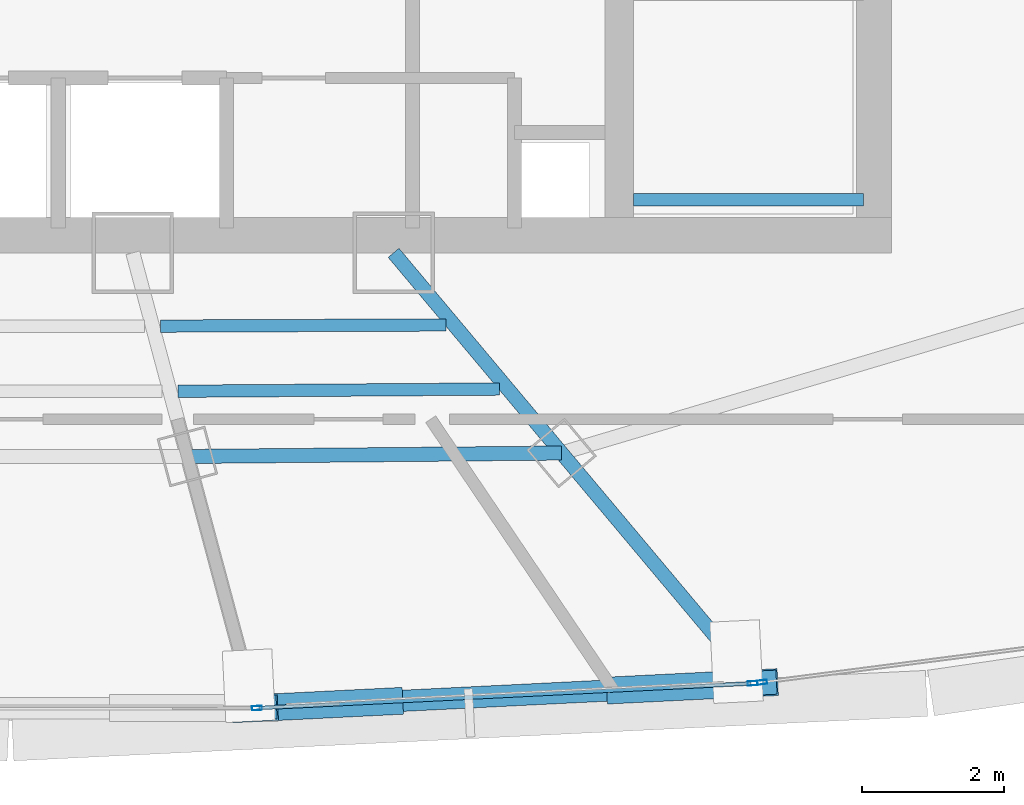
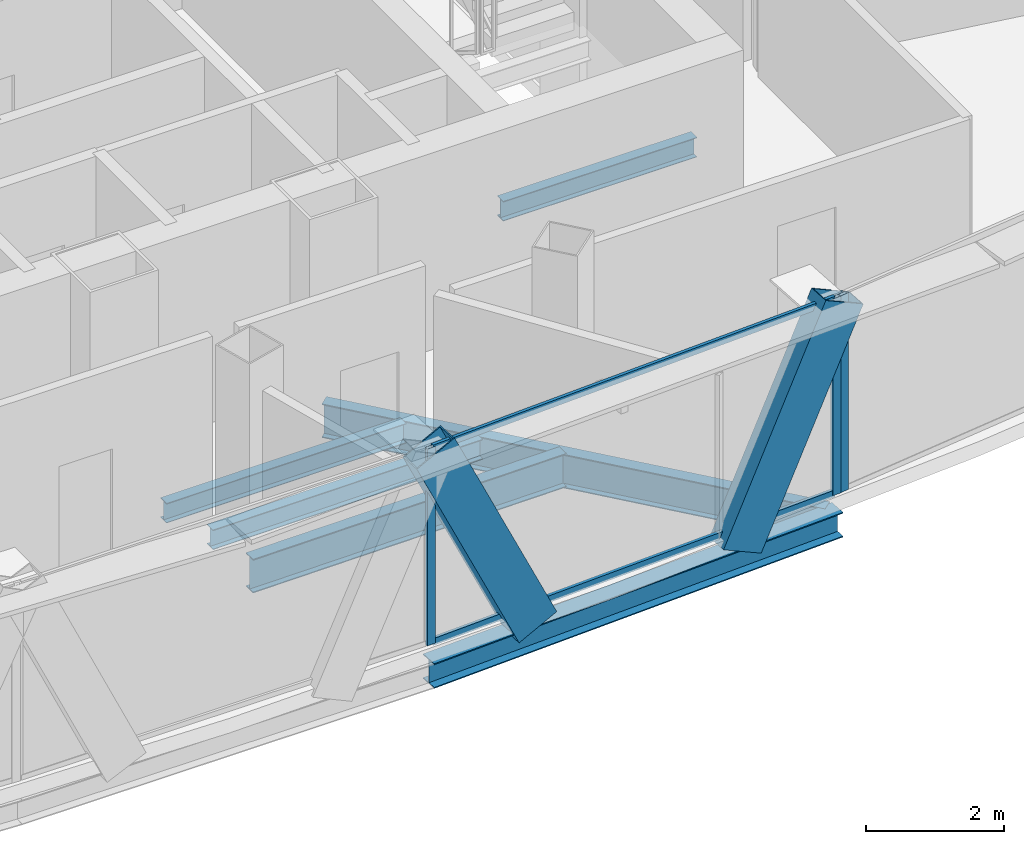
# One storey, part 12 of 34: 7 members, 6 beams, 2 elements without a shape of their own.
"""IFC4 building model written with IfcOpenShell, lengths in metres."""

import ifcopenshell
import ifcopenshell.guid

model = None  # the IFC model being written
_history = None  # IfcOwnerHistory: only IFC2X3 demands one
_inside = {}  # id of a spatial element -> (the spatial element, [elements in it])
_under = {}  # id of a project, library or spatial element -> (it, [spatial elements below it])
_declared = {}  # id of a project -> (the project, [libraries it declares])
_typed = {}  # id of a type object -> (the type object, [elements of that type])
_made_of = {}  # id of a material, layer set ... -> (it, [elements and type objects made of it])


def new_model(schema):
    """Start an empty IFC model of exactly this schema.

    Asked for "IFC4X3", IfcOpenShell would pick the latest addendum, in which some entities
    have other attributes; the version numbers below select the first issue.
    IFC2X3 requires an IfcOwnerHistory on every rooted entity: one is made here for all.
    """
    global model, _history
    if schema == "IFC4X3":
        model = ifcopenshell.file(schema_version=(4, 3, 0, 0))
    else:
        model = ifcopenshell.file(schema=schema)
    _inside.clear()
    _under.clear()
    _declared.clear()
    _typed.clear()
    _made_of.clear()
    _history = None
    if model.schema == "IFC2X3":
        org = make("IfcOrganization", Name="unknown")
        user = make(
            "IfcPersonAndOrganization",
            ThePerson=make("IfcPerson", FamilyName="unknown"),
            TheOrganization=org,
        )
        app = make(
            "IfcApplication",
            ApplicationDeveloper=org,
            Version="unknown",
            ApplicationFullName="unknown",
            ApplicationIdentifier="unknown",
        )
        _history = make(
            "IfcOwnerHistory",
            OwningUser=user,
            OwningApplication=app,
            ChangeAction="ADDED",
            CreationDate=0,
        )
    return model


def make(cls, **values):
    """One entity of the class cls with the attributes given. An attribute that is None is left unset."""
    return model.create_entity(
        cls, **{name: value for name, value in values.items() if value is not None}
    )


def rooted(cls, **values):
    """An entity with a GlobalId (a new one), such as an element, a storey or a relation."""
    return make(cls, GlobalId=ifcopenshell.guid.new(), OwnerHistory=_history, **values)


def si_unit(unit_type, name, prefix=None):
    """IfcSIUnit, for example si_unit("LENGTHUNIT", "METRE", prefix="MILLI")."""
    return make("IfcSIUnit", UnitType=unit_type, Prefix=prefix, Name=name)


def assignment(units):
    """IfcUnitAssignment: the units of a project."""
    return None if units is None else make("IfcUnitAssignment", Units=units)


def point(xyz):
    """IfcCartesianPoint."""
    return None if xyz is None else make("IfcCartesianPoint", Coordinates=xyz)


def direction(xyz):
    """IfcDirection."""
    return None if xyz is None else make("IfcDirection", DirectionRatios=xyz)


def frame(location, z_axis=None, x_axis=None):
    """IfcAxis2Placement3D, a coordinate frame: its origin and axes. An axis left out is left unset."""
    return make(
        "IfcAxis2Placement3D",
        Location=point(location),
        Axis=direction(z_axis),
        RefDirection=direction(x_axis),
    )


def frame_2d(location, x_axis=None):
    """IfcAxis2Placement2D, a coordinate frame in the plane: its origin and x axis."""
    return make(
        "IfcAxis2Placement2D", Location=point(location), RefDirection=direction(x_axis)
    )


def origin():
    """The frame at (0, 0, 0) with its axes left unset."""
    return frame((0.0, 0.0, 0.0))


def origin_2d():
    """The frame at (0, 0) in the plane with its x axis left unset."""
    return frame_2d((0.0, 0.0))


def place(relative_to, where):
    """IfcLocalPlacement: puts the frame where relative to a parent placement (None: the world)."""
    return make(
        "IfcLocalPlacement", PlacementRelTo=relative_to, RelativePlacement=where
    )


def context(
    kind, dimensions, precision=None, world=None, true_north=None, identifier=None
):
    """IfcGeometricRepresentationContext, for example the 3D "Model" context."""
    return make(
        "IfcGeometricRepresentationContext",
        ContextIdentifier=identifier,
        ContextType=kind,
        CoordinateSpaceDimension=dimensions,
        Precision=precision,
        WorldCoordinateSystem=world,
        TrueNorth=true_north,
    )


def subcontext(parent, identifier, kind, view, scale=None):
    """IfcGeometricRepresentationSubContext, for example "Body" below "Model"."""
    return make(
        "IfcGeometricRepresentationSubContext",
        ContextIdentifier=identifier,
        ContextType=kind,
        ParentContext=parent,
        TargetScale=scale,
        TargetView=view,
    )


def project(units=None, contexts=None):
    """IfcProject with its units and contexts."""
    return rooted(
        "IfcProject",
        Name="project",
        RepresentationContexts=contexts,
        UnitsInContext=assignment(units),
    )


def spatial(cls, under=None, at=None, **own):
    """A site, building, storey or space (cls), placed at a placement, below another one or the project."""
    s = rooted(cls, ObjectPlacement=at, **own)
    if under is not None:
        _under.setdefault(under.id(), (under, []))[1].append(s)
    return s


def profile(cls, at=None, kind="AREA", **sizes):
    """A parametric profile (cls). Its sizes go by their IFC names, for example OverallWidth=200.0."""
    return make(cls, ProfileType=kind, Position=at, **sizes)


def hollow_rectangle(**sizes):
    """IfcRectangleHollowProfileDef."""
    return profile("IfcRectangleHollowProfileDef", **sizes)


def i_section(**sizes):
    """IfcIShapeProfileDef."""
    return profile("IfcIShapeProfileDef", **sizes)


def extrude(swept, where, along, depth):
    """IfcExtrudedAreaSolid: the profile swept, set in the frame where, extruded along a direction by depth."""
    return make(
        "IfcExtrudedAreaSolid",
        SweptArea=swept,
        Position=where,
        ExtrudedDirection=direction(along),
        Depth=depth,
    )


def shape(context_of_items, identifier, shape_type, items):
    """IfcShapeRepresentation: the items that make up one representation, for example the "Body"."""
    return make(
        "IfcShapeRepresentation",
        ContextOfItems=context_of_items,
        RepresentationIdentifier=identifier,
        RepresentationType=shape_type,
        Items=items,
    )


def source(mapping_origin, context_of_items, identifier, shape_type, items):
    """IfcRepresentationMap: a shape defined once, which mapped items show again and again."""
    return make(
        "IfcRepresentationMap",
        MappingOrigin=mapping_origin,
        MappedRepresentation=shape(context_of_items, identifier, shape_type, items),
    )


def transform(
    local_origin,
    x_axis=None,
    y_axis=None,
    z_axis=None,
    scale=None,
    scale2=None,
    scale3=None,
    uniform=True,
):
    """IfcCartesianTransformationOperator3D, or its non-uniform kind. x_axis, y_axis, z_axis: its Axis1, 2, 3."""
    if uniform:
        return make(
            "IfcCartesianTransformationOperator3D",
            Axis1=direction(x_axis),
            Axis2=direction(y_axis),
            LocalOrigin=point(local_origin),
            Scale=scale,
            Axis3=direction(z_axis),
        )
    return make(
        "IfcCartesianTransformationOperator3DnonUniform",
        Axis1=direction(x_axis),
        Axis2=direction(y_axis),
        LocalOrigin=point(local_origin),
        Scale=scale,
        Axis3=direction(z_axis),
        Scale2=scale2,
        Scale3=scale3,
    )


def mapped(mapping_source, mapping_target):
    """IfcMappedItem: shows the shape of a source again, moved by a transform."""
    return make(
        "IfcMappedItem", MappingSource=mapping_source, MappingTarget=mapping_target
    )


def material(Name=None, Category=None):
    """IfcMaterial."""
    return make("IfcMaterial", Name=Name, Category=Category)


def layer(
    of_material, thickness, ventilated=None, Name=None, Category=None, Priority=None
):
    """IfcMaterialLayer: one layer of a wall or slab, of a material (None: an air gap)."""
    return make(
        "IfcMaterialLayer",
        Material=of_material,
        LayerThickness=thickness,
        IsVentilated=ventilated,
        Name=Name,
        Category=Category,
        Priority=Priority,
    )


def layer_set(layers, Name=None):
    """IfcMaterialLayerSet."""
    return make("IfcMaterialLayerSet", MaterialLayers=layers, LayerSetName=Name)


def material_profile(
    of_material, cross_section, Name=None, Category=None, Priority=None
):
    """IfcMaterialProfile: a cross section and its material."""
    return make(
        "IfcMaterialProfile",
        Name=Name,
        Material=of_material,
        Profile=cross_section,
        Priority=Priority,
        Category=Category,
    )


def profile_set(profiles, Name=None, composite=None):
    """IfcMaterialProfileSet."""
    return make(
        "IfcMaterialProfileSet",
        Name=Name,
        MaterialProfiles=profiles,
        CompositeProfile=composite,
    )


def made_of(thing, what):
    """Note that an element or type object is made of a material, layer set ...; save() writes the relation."""
    if what is not None:
        _made_of.setdefault(what.id(), (what, []))[1].append(thing)
    return thing


def type_object(cls, material=None, **own):
    """A type object (cls), such as IfcWallType, which elements share."""
    return made_of(rooted(cls, **own), material)


def element(
    cls,
    number,
    at=None,
    inside=None,
    cuts=None,
    type_object=None,
    material=None,
    context=None,
    identifier="Body",
    shape_type=None,
    held_by="IfcProductDefinitionShape",
    body=None,
    shapes=None,
    **own,
):
    """One element of the class cls, such as IfcWall. Its Tag is "e" and its number.

    at: its placement. inside: the storey or other place that contains it. cuts: it is an
    opening in that element (IfcRelVoidsElement). A single representation is given by context,
    identifier, shape_type and body (its items); several are given by shapes. held_by: the class
    of the entity that holds the representations. save() writes the other relations.
    """
    e = rooted(cls, Tag="e%d" % number, ObjectPlacement=at, **own)
    if body is not None:
        shapes = [shape(context, identifier, shape_type, body)]
    if shapes is not None:
        e.Representation = make(held_by, Representations=shapes)
    if inside is not None:
        _inside.setdefault(inside.id(), (inside, []))[1].append(e)
    if cuts is not None:
        rooted(
            "IfcRelVoidsElement", RelatingBuildingElement=cuts, RelatedOpeningElement=e
        )
    if type_object is not None:
        _typed.setdefault(type_object.id(), (type_object, []))[1].append(e)
    return made_of(e, material)


def aggregate(whole, parts):
    """IfcRelAggregates: a whole, such as a stair, and the parts it consists of."""
    return rooted("IfcRelAggregates", RelatingObject=whole, RelatedObjects=parts)


def save(model, path):
    """Write the relations noted so far, then the file.

    IfcRelAggregates (storeys below a building ...), IfcRelContainedInSpatialStructure (elements
    in a storey), IfcRelDefinesByType, IfcRelAssociatesMaterial and IfcRelDeclares: one each for
    every whole, place, type object, material and project.
    """
    for whole, parts in _under.values():
        aggregate(whole, parts)
    for where, things in _inside.values():
        rooted(
            "IfcRelContainedInSpatialStructure",
            RelatedElements=things,
            RelatingStructure=where,
        )
    for kind, things in _typed.values():
        rooted("IfcRelDefinesByType", RelatedObjects=things, RelatingType=kind)
    for what, things in _made_of.values():
        rooted("IfcRelAssociatesMaterial", RelatedObjects=things, RelatingMaterial=what)
    for by, libraries in _declared.values():
        rooted("IfcRelDeclares", RelatingContext=by, RelatedDefinitions=libraries)
    model.write(path)


model = new_model("IFC4")

# Units and contexts
model_context = context("Model", 3, precision=1e-05, world=origin(), true_north=direction((0.0, 1.0)))
body_context = subcontext(model_context, "Body", "Model", "MODEL_VIEW")
ifc_project = project(units=[si_unit("LENGTHUNIT", "METRE"), si_unit("AREAUNIT", "SQUARE_METRE"), si_unit("VOLUMEUNIT", "CUBIC_METRE"), si_unit("PLANEANGLEUNIT", "RADIAN"), si_unit("MASSUNIT", "GRAM", prefix="KILO"), si_unit("THERMODYNAMICTEMPERATUREUNIT", "KELVIN"), si_unit("POWERUNIT", "WATT")], contexts=[model_context])

# Site, building, storey
site_placement = place(None, origin())
site = spatial("IfcSite", under=ifc_project, at=site_placement, CompositionType="ELEMENT")
building_placement = place(site_placement, origin())
building = spatial("IfcBuilding", under=site, at=building_placement, Name="Yunzhuo Pagoda Commons", CompositionType="ELEMENT")
storey_placement = place(building_placement, frame((0.0, 0.0, 333.010009765625)))
storey = spatial("IfcBuildingStorey", under=building, at=storey_placement, Name="L83", CompositionType="ELEMENT", Elevation=333.010009765625)

# Beams
ifc_material_1 = material(Name="Structural steel Q355B", Category="steel")
ifc_material_profile_1 = material_profile(ifc_material_1, i_section(OverallWidth=0.175048828125, OverallDepth=0.35009765625, WebThickness=0.007080078125, FlangeThickness=0.010986328125, at=origin_2d()), Name="Structural steel Q355B")
ifc_profile_set_1 = profile_set([ifc_material_profile_1], Name="Structural steel Q355B")
beam_type_1 = type_object("IfcBeamType", Name="B-JS2 Joist HN 350x175x7x11", PredefinedType="JOIST", material=ifc_profile_set_1)
shared_shape_1 = source(origin(), body_context, "Body", "SweptSolid", [
    extrude(i_section(OverallWidth=0.175048828125, OverallDepth=0.35009765625, WebThickness=0.007080078125, FlangeThickness=0.010986328125, at=origin_2d()), origin(), (0.0, 0.0, 1.0), 3.25),
])
beam_1_placement = place(storey_placement, frame((56.800048828125, 28.0, 1.5), z_axis=(1.0, 0.0, 0.0), x_axis=(0.0, 1.0, 0.0)))
element("IfcBeam", 1, at=beam_1_placement, inside=storey, type_object=beam_type_1, Name="L83 ST2 landing support beam 89A", PredefinedType="JOIST", context=body_context, shape_type="MappedRepresentation", body=[
    mapped(shared_shape_1, transform((0.0, 0.0, 0.0), scale=1.0)),
])
ifc_material_profile_2 = material_profile(ifc_material_1, i_section(OverallWidth=0.300048828125, OverallDepth=0.43994140625, WebThickness=0.010986328125, FlangeThickness=0.01806640625, at=origin_2d()), Name="Structural steel Q355B")
ifc_profile_set_2 = profile_set([ifc_material_profile_2], Name="Structural steel Q355B")
beam_type_2 = type_object("IfcBeamType", Name="B-SP2 Beam HM 440x300x11x18", PredefinedType="BEAM", material=ifc_profile_set_2)
shared_shape_2 = source(origin(), body_context, "Body", "SweptSolid", [
    extrude(i_section(OverallWidth=0.300048828125, OverallDepth=0.43994140625, WebThickness=0.010986328125, FlangeThickness=0.01806640625, at=origin_2d()), origin(), (0.0, 0.0, 1.0), 7.0712890625),
])
beam_2_placement = place(storey_placement, frame((51.451904296875, 20.817138671875, -0.47998046875), z_axis=(0.998758186738, 0.049820522105, 0.0), x_axis=(-0.049820522105, 0.998758186738, 0.0)))
element("IfcBeam", 2, at=beam_2_placement, inside=storey, type_object=beam_type_2, Name="L83 facade edge spandrel beam F1.3", PredefinedType="BEAM", context=body_context, shape_type="MappedRepresentation", body=[
    mapped(shared_shape_2, transform((0.0, 0.0, 0.0), scale=1.0)),
])
ifc_material_profile_3 = material_profile(ifc_material_1, i_section(OverallWidth=0.199951171875, OverallDepth=0.60009765625, WebThickness=0.010986328125, FlangeThickness=0.01708984375, at=origin_2d()), Name="Structural steel Q355B")
ifc_profile_set_3 = profile_set([ifc_material_profile_3], Name="Structural steel Q355B")
beam_type_3 = type_object("IfcBeamType", Name="B-RG3 Beam HN 600x200x11x17", PredefinedType="BEAM", material=ifc_profile_set_3)
shared_shape_3 = source(origin(), body_context, "Body", "SweptSolid", [
    extrude(i_section(OverallWidth=0.199951171875, OverallDepth=0.60009765625, WebThickness=0.010986328125, FlangeThickness=0.01708984375, at=origin_2d()), origin(), (0.0, 0.0, 1.0), 5.286376953125),
])
beam_3_placement = place(storey_placement, frame((50.499267578125, 24.372802734375, -0.56005859375), z_axis=(0.999957341442, 0.009236627946, 0.0), x_axis=(-0.009236627946, 0.999957341442, 0.0)))
element("IfcBeam", 3, at=beam_3_placement, inside=storey, type_object=beam_type_3, Name="L83 column-ring beam 3", PredefinedType="BEAM", context=body_context, shape_type="MappedRepresentation", body=[
    mapped(shared_shape_3, transform((0.0, 0.0, 0.0), scale=1.0)),
])
shared_shape_4 = source(origin(), body_context, "Body", "SweptSolid", [
    extrude(i_section(OverallWidth=0.199951171875, OverallDepth=0.60009765625, WebThickness=0.010986328125, FlangeThickness=0.01708984375, at=origin_2d()), origin(), (0.0, 0.0, 1.0), 7.78271484375),
])
beam_4_placement = place(storey_placement, frame((58.414794921875, 21.2880859375, -0.56005859375), z_axis=(-0.642791052162, 0.766041554526, 0.0), x_axis=(-0.766041554526, -0.642791052162, 0.0)))
element("IfcBeam", 4, at=beam_4_placement, inside=storey, type_object=beam_type_3, Name="L83 radial floor girder F1C4", PredefinedType="BEAM", context=body_context, shape_type="MappedRepresentation", body=[
    mapped(shared_shape_4, transform((0.0, 0.0, 0.0), scale=1.0)),
])
shared_shape_5 = source(origin(), body_context, "Body", "SweptSolid", [
    extrude(i_section(OverallWidth=0.175048828125, OverallDepth=0.35009765625, WebThickness=0.007080078125, FlangeThickness=0.010986328125, at=origin_2d()), origin(), (0.0, 0.0, 1.0), 4.03076171875),
])
beam_5_placement = place(storey_placement, frame((50.120849609375, 26.214599609375, -0.43505859375), z_axis=(0.999991518197, 0.004118680996, 0.0), x_axis=(-0.004118680996, 0.999991518197, 0.0)))
element("IfcBeam", 5, at=beam_5_placement, inside=storey, type_object=beam_type_1, Name="L83 composite ring joist 1.3", PredefinedType="JOIST", context=body_context, shape_type="MappedRepresentation", body=[
    mapped(shared_shape_5, transform((0.0, 0.0, 0.0), scale=1.0)),
])
shared_shape_6 = source(origin(), body_context, "Body", "SweptSolid", [
    extrude(i_section(OverallWidth=0.175048828125, OverallDepth=0.35009765625, WebThickness=0.007080078125, FlangeThickness=0.010986328125, at=origin_2d()), origin(), (0.0, 0.0, 1.0), 4.54345703125),
])
beam_6_placement = place(storey_placement, frame((50.367431640625, 25.29443359375, -0.43505859375), z_axis=(0.999975976237, 0.006931590593, 0.0), x_axis=(-0.006931590593, 0.999975976237, 0.0)))
element("IfcBeam", 6, at=beam_6_placement, inside=storey, type_object=beam_type_1, Name="L83 composite ring joist 2.3", PredefinedType="JOIST", context=body_context, shape_type="MappedRepresentation", body=[
    mapped(shared_shape_6, transform((0.0, 0.0, 0.0), scale=1.0)),
])

# Members
ifc_material_profile_4 = material_profile(ifc_material_1, hollow_rectangle(XDim=0.3798828125, YDim=0.719970703125, WallThickness=0.02001953125, at=origin_2d()), Name="Structural steel Q355B")
ifc_profile_set_4 = profile_set([ifc_material_profile_4], Name="Structural steel Q355B")
member_type_1 = type_object("IfcMemberType", Name="M-DL3 Brace BOX 720x380x20", PredefinedType="BRACE", material=ifc_profile_set_4)
shared_shape_7 = source(origin(), body_context, "Body", "SweptSolid", [
    extrude(hollow_rectangle(XDim=0.3798828125, YDim=0.719970703125, WallThickness=0.02001953125, at=origin_2d()), origin(), (0.0, 0.0, 1.0), 4.145751953125),
])
for number, where, z_axis, x_axis, name in (
    (7, (53.217529296875, 20.905029296875, -0.260009765625), (-0.425882836499, -0.021199919958, 0.904529918228), (0.049717201424, -0.998763335271, 0.0), "L83 facade diamond brace F1.3L"),
    (8, (56.748779296875, 21.081298828125, -0.260009765625), (0.425882304074, 0.021258782048, 0.904528787415), (-0.049854961977, 0.998756468197, 0.0), "L83 facade diamond brace F1.3R"),
):
    element("IfcMember", number, at=place(storey_placement, frame(where, z_axis=z_axis, x_axis=x_axis)), inside=storey, type_object=member_type_1, Name=name, PredefinedType="BRACE", context=body_context, shape_type="MappedRepresentation", body=[
        mapped(shared_shape_7, transform((0.0, 0.0, 0.0), scale=1.0)),
    ])

# Curtain wall, members
ifc_material_2 = material(Name="Anodized aluminium 6063-T6", Category="aluminium")
ifc_layer = layer(ifc_material_2, 0.139892578125)
ifc_layer_set = layer_set([ifc_layer], Name="Anodized aluminium 6063-T6")
curtain_wall_type = type_object("IfcCurtainWallType", Name="CW-HI High-Zone Ribbon Curtain Wall", PredefinedType="NOTDEFINED", material=ifc_layer_set)
curtain_wall_1_placement = place(storey_placement, origin())
curtain_wall_1 = element("IfcCurtainWall", 9, at=curtain_wall_1_placement, inside=storey, type_object=curtain_wall_type, Name="L83 curtain wall CW-L83-F1B4", PredefinedType="NOTDEFINED")
ifc_material_profile_5 = material_profile(ifc_material_2, hollow_rectangle(XDim=0.06005859375, YDim=0.139892578125, WallThickness=0.00341796875, at=origin_2d()), Name="Anodized aluminium 6063-T6")
ifc_profile_set_5 = profile_set([ifc_material_profile_5], Name="Anodized aluminium 6063-T6")
member_type_2 = type_object("IfcMemberType", Name="CW-HI-M Mullion RHS 140x60x3.5", PredefinedType="MULLION", material=ifc_profile_set_5)
shared_shape_8 = source(origin(), body_context, "Body", "SweptSolid", [
    extrude(hollow_rectangle(XDim=0.06005859375, YDim=0.139892578125, WallThickness=0.00341796875, at=origin_2d()), origin(), (0.0, 0.0, 1.0), 3.489990234375),
])
member_1_placement = place(storey_placement, frame((51.48193359375, 20.818359375, 0.0), z_axis=(0.0, 0.0, 1.0), x_axis=(-0.049850155702, 0.998756708101, 0.0)))
member_1 = element("IfcMember", 10, at=member_1_placement, type_object=member_type_2, Name="CW mullion 1", PredefinedType="MULLION", context=body_context, shape_type="MappedRepresentation", body=[
    mapped(shared_shape_8, transform((0.0, 0.0, 0.0), scale=1.0)),
])
member_2_placement = place(storey_placement, frame((58.484375, 21.16796875, 0.0), z_axis=(0.0, 0.0, 1.0), x_axis=(-0.049850155702, 0.998756708101, 0.0)))
member_2 = element("IfcMember", 11, at=member_2_placement, type_object=member_type_2, Name="CW mullion 2", PredefinedType="MULLION", context=body_context, shape_type="MappedRepresentation", body=[
    mapped(shared_shape_8, transform((0.0, 0.0, 0.0), scale=1.0)),
])

# Curtain wall, member
curtain_wall_2_placement = place(storey_placement, origin())
curtain_wall_2 = element("IfcCurtainWall", 12, at=curtain_wall_2_placement, inside=storey, type_object=curtain_wall_type, Name="L83 curtain wall CW-L83-F1B5", PredefinedType="NOTDEFINED")
member_3_placement = place(storey_placement, frame((58.61865234375, 21.182861328125, 0.0), z_axis=(0.0, 0.0, 1.0), x_axis=(-0.128276018031, 0.991738505453, 0.0)))
member_3 = element("IfcMember", 13, at=member_3_placement, type_object=member_type_2, Name="CW mullion 1", PredefinedType="MULLION", context=body_context, shape_type="MappedRepresentation", body=[
    mapped(shared_shape_8, transform((0.0, 0.0, 0.0), scale=1.0)),
])
aggregate(curtain_wall_2, [member_3])

# Member
ifc_material_profile_6 = material_profile(ifc_material_2, hollow_rectangle(XDim=0.054931640625, YDim=0.1201171875, WallThickness=0.00341796875, at=origin_2d()), Name="Anodized aluminium 6063-T6")
ifc_profile_set_6 = profile_set([ifc_material_profile_6], Name="Anodized aluminium 6063-T6")
member_type_3 = type_object("IfcMemberType", Name="CW-HI-T Transom RHS 120x55x3.5", PredefinedType="USERDEFINED", material=ifc_profile_set_6)
shared_shape_9 = source(origin(), body_context, "Body", "SweptSolid", [
    extrude(hollow_rectangle(XDim=0.054931640625, YDim=0.1201171875, WallThickness=0.00341796875, at=origin_2d()), origin(), (0.0, 0.0, 1.0), 6.951171875),
])
member_4_placement = place(storey_placement, frame((51.511962890625, 20.81982421875, 0.027587890625), z_axis=(0.99875557743, 0.04987280374, 0.0), x_axis=(-0.04987280374, 0.99875557743, 0.0)))
member_4 = element("IfcMember", 14, at=member_4_placement, type_object=member_type_3, Name="CW transom 1.1", ObjectType="TRANSOM", PredefinedType="USERDEFINED", context=body_context, shape_type="MappedRepresentation", body=[
    mapped(shared_shape_9, transform((0.0, 0.0, 0.0), scale=1.0)),
])

member_5_placement = place(storey_placement, frame((51.511962890625, 20.81982421875, 3.46240234375), z_axis=(0.99875557743, 0.04987280374, 0.0), x_axis=(-0.04987280374, 0.99875557743, 0.0)))
member_5 = element("IfcMember", 15, at=member_5_placement, type_object=member_type_3, Name="CW transom 1.2", ObjectType="TRANSOM", PredefinedType="USERDEFINED", context=body_context, shape_type="MappedRepresentation", body=[
    mapped(shared_shape_9, transform((0.0, 0.0, 0.0), scale=1.0)),
])

aggregate(curtain_wall_1, [member_1, member_2, member_4, member_5])

save(model, "model.ifc")
